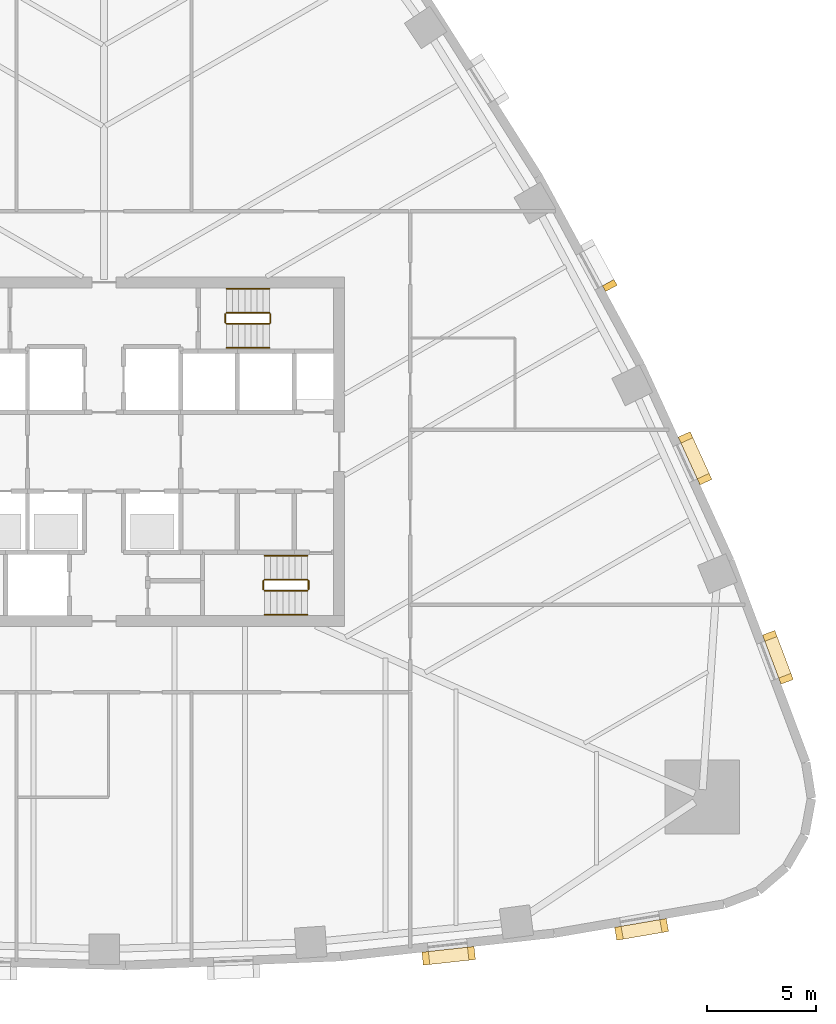
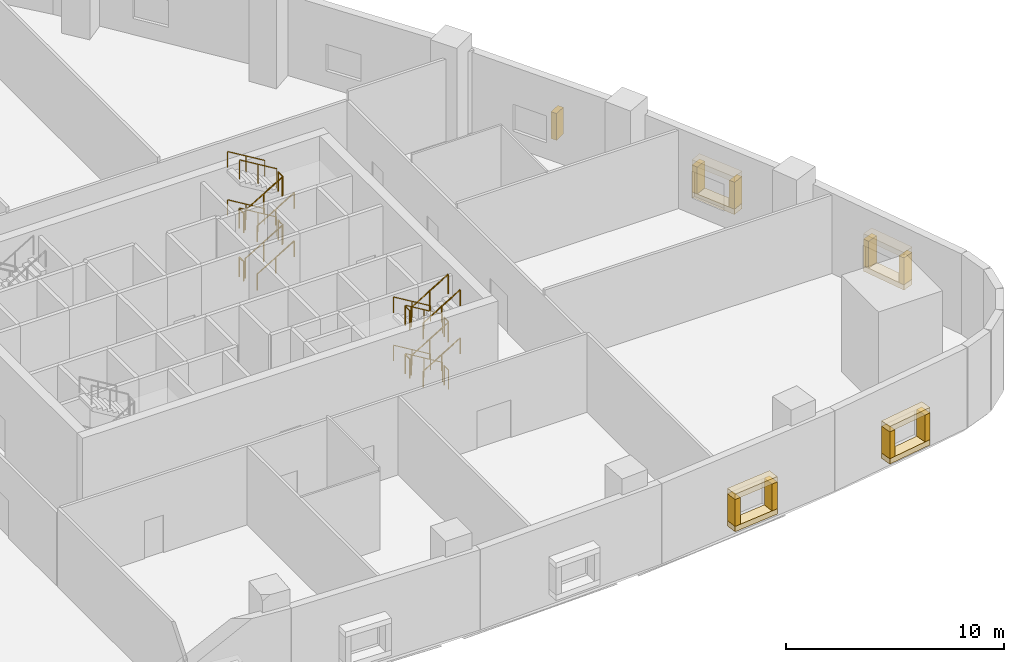
# One storey, part 9 of 11: 24 railings, 17 coverings.
"""IFC4 building model written with IfcOpenShell, lengths in metres."""

from ifc_helpers import new_model, si_unit, direction, frame, origin, origin_2d, place, context, subcontext, project, spatial, rectangle, circle, extrude, material, layer, layer_set, type_object, element, save


model = new_model("IFC4")

# Units and contexts
model_context = context("Model", 3, precision=1e-05, world=origin(), true_north=direction((0.0, 1.0)))
body_context = subcontext(model_context, "Body", "Model", "MODEL_VIEW")
ifc_project = project(units=[si_unit("LENGTHUNIT", "METRE"), si_unit("AREAUNIT", "SQUARE_METRE"), si_unit("VOLUMEUNIT", "CUBIC_METRE"), si_unit("PLANEANGLEUNIT", "RADIAN"), si_unit("MASSUNIT", "GRAM", prefix="KILO")], contexts=[model_context])

# Site, building, storey
site_placement = place(None, origin())
site = spatial("IfcSite", under=ifc_project, at=site_placement, CompositionType="ELEMENT")
building_placement = place(site_placement, origin())
building = spatial("IfcBuilding", under=site, at=building_placement, Name="Sierra Prisma Convention Tower", CompositionType="ELEMENT")
storey_placement = place(building_placement, frame((0.0, 0.0, 28.800048828125)))
storey = spatial("IfcBuildingStorey", under=building, at=storey_placement, Name="L04", CompositionType="ELEMENT", Elevation=28.800048828125)

# Railings
ifc_material_1 = material(Name="Stainless steel", Category="steel")
railing_type_1 = type_object("IfcRailingType", Name="Exit stair handrail", PredefinedType="HANDRAIL", material=ifc_material_1)
railing_1_placement = place(storey_placement, frame((9.300048828125, -4.75, 0.168701171875)))
element("IfcRailing", 1, at=railing_1_placement, inside=storey, type_object=railing_type_1, Name="L04 S2 stair handrail 1", PredefinedType="HANDRAIL", context=body_context, shape_type="SweptSolid", body=[
    extrude(circle(Radius=0.02392578125, at=origin_2d()), frame((0.0, 0.0, 0.8759765625), z_axis=(-0.856493463811, 0.0, 0.516157869696), x_axis=(0.0, -1.0, 0.0)), (0.0, 0.0, 1.0), 2.288330078125),
    extrude(circle(Radius=0.02099609375, at=origin_2d()), origin(), (0.0, 0.0, 1.0), 0.851806640625),
    extrude(circle(Radius=0.02099609375, at=origin_2d()), frame((-0.97998046875, 0.0, 0.590576171875)), (0.0, 0.0, 1.0), 0.851806640625),
    extrude(circle(Radius=0.02099609375, at=origin_2d()), frame((-1.9599609375, 0.0, 1.18115234375)), (0.0, 0.0, 1.0), 0.851806640625),
])
railing_2_placement = place(storey_placement, frame((7.340087890625, -7.449951171875, 1.518798828125)))
element("IfcRailing", 2, at=railing_2_placement, inside=storey, type_object=railing_type_1, Name="L04 S2 stair handrail 2", PredefinedType="HANDRAIL", context=body_context, shape_type="SweptSolid", body=[
    extrude(circle(Radius=0.02392578125, at=origin_2d()), frame((0.0, 0.0, 0.8759765625), z_axis=(0.856493463811, 0.0, 0.516157869696), x_axis=(0.0, 1.0, 0.0)), (0.0, 0.0, 1.0), 2.288330078125),
    extrude(circle(Radius=0.02099609375, at=origin_2d()), origin(), (0.0, 0.0, 1.0), 0.851806640625),
    extrude(circle(Radius=0.02099609375, at=origin_2d()), frame((0.97998046875, 0.0, 0.590576171875)), (0.0, 0.0, 1.0), 0.851806640625),
    extrude(circle(Radius=0.02099609375, at=origin_2d()), frame((1.9599609375, 0.0, 1.18115234375)), (0.0, 0.0, 1.0), 0.851806640625),
])
railing_3_placement = place(storey_placement, frame((9.300048828125, -4.75, 2.86865234375)))
element("IfcRailing", 3, at=railing_3_placement, inside=storey, type_object=railing_type_1, Name="L04 S2 stair handrail 3", PredefinedType="HANDRAIL", context=body_context, shape_type="SweptSolid", body=[
    extrude(circle(Radius=0.02392578125, at=origin_2d()), frame((0.0, 0.0, 0.8759765625), z_axis=(-0.856446297458, 0.0, 0.516236127728), x_axis=(0.0, -1.0, 0.0)), (0.0, 0.0, 1.0), 2.28857421875),
    extrude(circle(Radius=0.02099609375, at=origin_2d()), origin(), (0.0, 0.0, 1.0), 0.851806640625),
    extrude(circle(Radius=0.02099609375, at=origin_2d()), frame((-0.97998046875, 0.0, 0.5908203125)), (0.0, 0.0, 1.0), 0.851806640625),
    extrude(circle(Radius=0.02099609375, at=origin_2d()), frame((-1.9599609375, 0.0, 1.181396484375)), (0.0, 0.0, 1.0), 0.851806640625),
])
for number, where, name in (
    (4, (7.340087890625, -7.449951171875, 4.21875), "L04 S2 stair handrail 4"),
    (5, (5.60009765625, 4.75, 0.168701171875), "L04 S4 stair handrail 1"),
):
    element("IfcRailing", number, at=place(storey_placement, frame(where)), inside=storey, type_object=railing_type_1, Name=name, PredefinedType="HANDRAIL", context=body_context, shape_type="SweptSolid", body=[
        extrude(circle(Radius=0.02392578125, at=origin_2d()), frame((0.0, 0.0, 0.8759765625), z_axis=(0.856493463811, 0.0, 0.516157869696), x_axis=(0.0, 1.0, 0.0)), (0.0, 0.0, 1.0), 2.288330078125),
        extrude(circle(Radius=0.02099609375, at=origin_2d()), origin(), (0.0, 0.0, 1.0), 0.851806640625),
        extrude(circle(Radius=0.02099609375, at=origin_2d()), frame((0.97998046875, 0.0, 0.590576171875)), (0.0, 0.0, 1.0), 0.851806640625),
        extrude(circle(Radius=0.02099609375, at=origin_2d()), frame((1.9599609375, 0.0, 1.18115234375)), (0.0, 0.0, 1.0), 0.851806640625),
    ])
railing_4_placement = place(storey_placement, frame((7.56005859375, 7.449951171875, 1.518798828125)))
element("IfcRailing", 6, at=railing_4_placement, inside=storey, type_object=railing_type_1, Name="L04 S4 stair handrail 2", PredefinedType="HANDRAIL", context=body_context, shape_type="SweptSolid", body=[
    extrude(circle(Radius=0.02392578125, at=origin_2d()), frame((0.0, 0.0, 0.8759765625), z_axis=(-0.856493463811, 0.0, 0.516157869696), x_axis=(0.0, -1.0, 0.0)), (0.0, 0.0, 1.0), 2.288330078125),
    extrude(circle(Radius=0.02099609375, at=origin_2d()), origin(), (0.0, 0.0, 1.0), 0.851806640625),
    extrude(circle(Radius=0.02099609375, at=origin_2d()), frame((-0.97998046875, 0.0, 0.590576171875)), (0.0, 0.0, 1.0), 0.851806640625),
    extrude(circle(Radius=0.02099609375, at=origin_2d()), frame((-1.9599609375, 0.0, 1.18115234375)), (0.0, 0.0, 1.0), 0.851806640625),
])
railing_5_placement = place(storey_placement, frame((5.60009765625, 4.75, 2.86865234375)))
element("IfcRailing", 7, at=railing_5_placement, inside=storey, type_object=railing_type_1, Name="L04 S4 stair handrail 3", PredefinedType="HANDRAIL", context=body_context, shape_type="SweptSolid", body=[
    extrude(circle(Radius=0.02392578125, at=origin_2d()), frame((0.0, 0.0, 0.8759765625), z_axis=(0.856446297458, 0.0, 0.516236127728), x_axis=(0.0, 1.0, 0.0)), (0.0, 0.0, 1.0), 2.28857421875),
    extrude(circle(Radius=0.02099609375, at=origin_2d()), origin(), (0.0, 0.0, 1.0), 0.851806640625),
    extrude(circle(Radius=0.02099609375, at=origin_2d()), frame((0.97998046875, 0.0, 0.5908203125)), (0.0, 0.0, 1.0), 0.851806640625),
    extrude(circle(Radius=0.02099609375, at=origin_2d()), frame((1.9599609375, 0.0, 1.181396484375)), (0.0, 0.0, 1.0), 0.851806640625),
])
railing_6_placement = place(storey_placement, frame((7.56005859375, 7.449951171875, 4.21875)))
element("IfcRailing", 8, at=railing_6_placement, inside=storey, type_object=railing_type_1, Name="L04 S4 stair handrail 4", PredefinedType="HANDRAIL", context=body_context, shape_type="SweptSolid", body=[
    extrude(circle(Radius=0.02392578125, at=origin_2d()), frame((0.0, 0.0, 0.8759765625), z_axis=(-0.856493463811, 0.0, 0.516157869696), x_axis=(0.0, -1.0, 0.0)), (0.0, 0.0, 1.0), 2.288330078125),
    extrude(circle(Radius=0.02099609375, at=origin_2d()), origin(), (0.0, 0.0, 1.0), 0.851806640625),
    extrude(circle(Radius=0.02099609375, at=origin_2d()), frame((-0.97998046875, 0.0, 0.590576171875)), (0.0, 0.0, 1.0), 0.851806640625),
    extrude(circle(Radius=0.02099609375, at=origin_2d()), frame((-1.9599609375, 0.0, 1.18115234375)), (0.0, 0.0, 1.0), 0.851806640625),
])

# Coverings
ifc_material_2 = material(Name="Lime plaster, terracotta pigment", Category="masonry")
ifc_layer = layer(ifc_material_2, 0.300048828125)
ifc_layer_set = layer_set([ifc_layer], Name="Plaster reveal frame")
covering_type = type_object("IfcCoveringType", Name="Plaster reveal frame", PredefinedType="CLADDING", material=ifc_layer_set)
for number, where, z_axis, x_axis, name in (
    (9, (30.45068359375, -8.419189453125, 0.89990234375), (0.0, 0.0, 1.0), (0.352586518729, -0.935779219053, 0.0), "Window reveal jamb"),
    (10, (31.191162109375, -10.384521484375, 0.89990234375), (0.0, 0.0, 1.0), (0.352586518729, -0.935779219053, 0.0), "Window reveal jamb"),
):
    element("IfcCovering", number, at=place(storey_placement, frame(where, z_axis=z_axis, x_axis=x_axis)), inside=storey, type_object=covering_type, Name=name, PredefinedType="CLADDING", context=body_context, shape_type="SweptSolid", body=[
        extrude(rectangle(XDim=0.300048828125, YDim=0.60009765625, at=origin_2d()), origin(), (0.0, 0.0, 1.0), 1.5),
    ])
for number, where, z_axis, x_axis, name in (
    (11, (30.82080078125, -9.40185546875, 2.39990234375), (0.0, 0.0, 1.0), (0.352586518729, -0.935779219053, 0.0), "Window reveal head"),
    (12, (30.82080078125, -9.40185546875, 0.60009765625), (0.0, 0.0, 1.0), (0.352586518729, -0.935779219053, 0.0), "Window reveal sill"),
):
    element("IfcCovering", number, at=place(storey_placement, frame(where, z_axis=z_axis, x_axis=x_axis)), inside=storey, type_object=covering_type, Name=name, PredefinedType="CLADDING", context=body_context, shape_type="SweptSolid", body=[
        extrude(rectangle(XDim=2.39990234375, YDim=0.60009765625, at=origin_2d()), origin(), (0.0, 0.0, 1.0), 0.300048828125),
    ])
for number, where, z_axis, x_axis, name in (
    (13, (26.59521484375, 0.65673828125, 0.89990234375), (0.0, 0.0, 1.0), (0.415398270891, -0.909639641034, 0.0), "Window reveal jamb"),
    (14, (27.4677734375, -1.25341796875, 0.89990234375), (0.0, 0.0, 1.0), (0.415398270891, -0.909639641034, 0.0), "Window reveal jamb"),
):
    element("IfcCovering", number, at=place(storey_placement, frame(where, z_axis=z_axis, x_axis=x_axis)), inside=storey, type_object=covering_type, Name=name, PredefinedType="CLADDING", context=body_context, shape_type="SweptSolid", body=[
        extrude(rectangle(XDim=0.300048828125, YDim=0.60009765625, at=origin_2d()), origin(), (0.0, 0.0, 1.0), 1.5),
    ])
for number, where, z_axis, x_axis, name in (
    (15, (27.031494140625, -0.29833984375, 2.39990234375), (0.0, 0.0, 1.0), (0.415398270891, -0.909639641034, 0.0), "Window reveal head"),
    (16, (27.031494140625, -0.29833984375, 0.60009765625), (0.0, 0.0, 1.0), (0.415398270891, -0.909639641034, 0.0), "Window reveal sill"),
):
    element("IfcCovering", number, at=place(storey_placement, frame(where, z_axis=z_axis, x_axis=x_axis)), inside=storey, type_object=covering_type, Name=name, PredefinedType="CLADDING", context=body_context, shape_type="SweptSolid", body=[
        extrude(rectangle(XDim=2.39990234375, YDim=0.60009765625, at=origin_2d()), origin(), (0.0, 0.0, 1.0), 0.300048828125),
    ])
for number, where, z_axis, x_axis, name in (
    (17, (23.132080078125, 7.603271484375, 0.89990234375), (0.0, 0.0, 1.0), (0.476256619921, -0.879306335688, 0.0), "Window reveal jamb"),
    (18, (16.8056640625, -22.943359375, 0.89990234375), (0.0, 0.0, 1.0), (-0.994084805437, -0.108606627783, 0.0), "Window reveal jamb"),
    (19, (14.718017578125, -23.17138671875, 0.89990234375), (0.0, 0.0, 1.0), (-0.994084805437, -0.108606627783, 0.0), "Window reveal jamb"),
):
    element("IfcCovering", number, at=place(storey_placement, frame(where, z_axis=z_axis, x_axis=x_axis)), inside=storey, type_object=covering_type, Name=name, PredefinedType="CLADDING", context=body_context, shape_type="SweptSolid", body=[
        extrude(rectangle(XDim=0.300048828125, YDim=0.60009765625, at=origin_2d()), origin(), (0.0, 0.0, 1.0), 1.5),
    ])
for number, where, z_axis, x_axis, name in (
    (20, (15.76171875, -23.057373046875, 2.39990234375), (0.0, 0.0, 1.0), (-0.994084805437, -0.108606627783, 0.0), "Window reveal head"),
    (21, (15.76171875, -23.057373046875, 0.60009765625), (0.0, 0.0, 1.0), (-0.994084805437, -0.108606627783, 0.0), "Window reveal sill"),
):
    element("IfcCovering", number, at=place(storey_placement, frame(where, z_axis=z_axis, x_axis=x_axis)), inside=storey, type_object=covering_type, Name=name, PredefinedType="CLADDING", context=body_context, shape_type="SweptSolid", body=[
        extrude(rectangle(XDim=2.39990234375, YDim=0.60009765625, at=origin_2d()), origin(), (0.0, 0.0, 1.0), 0.300048828125),
    ])
for number, where, z_axis, x_axis, name in (
    (22, (25.6201171875, -21.669921875, 0.89990234375), (0.0, 0.0, 1.0), (-0.985573787893, -0.169246295731, 0.0), "Window reveal jamb"),
    (23, (23.55029296875, -22.025390625, 0.89990234375), (0.0, 0.0, 1.0), (-0.985573787893, -0.169246295731, 0.0), "Window reveal jamb"),
):
    element("IfcCovering", number, at=place(storey_placement, frame(where, z_axis=z_axis, x_axis=x_axis)), inside=storey, type_object=covering_type, Name=name, PredefinedType="CLADDING", context=body_context, shape_type="SweptSolid", body=[
        extrude(rectangle(XDim=0.300048828125, YDim=0.60009765625, at=origin_2d()), origin(), (0.0, 0.0, 1.0), 1.5),
    ])
for number, where, z_axis, x_axis, name in (
    (24, (24.585205078125, -21.84765625, 2.39990234375), (0.0, 0.0, 1.0), (-0.985573787893, -0.169246295731, 0.0), "Window reveal head"),
    (25, (24.585205078125, -21.84765625, 0.60009765625), (0.0, 0.0, 1.0), (-0.985573787893, -0.169246295731, 0.0), "Window reveal sill"),
):
    element("IfcCovering", number, at=place(storey_placement, frame(where, z_axis=z_axis, x_axis=x_axis)), inside=storey, type_object=covering_type, Name=name, PredefinedType="CLADDING", context=body_context, shape_type="SweptSolid", body=[
        extrude(rectangle(XDim=2.39990234375, YDim=0.60009765625, at=origin_2d()), origin(), (0.0, 0.0, 1.0), 0.300048828125),
    ])

# Railings
ifc_material_3 = material(Name="Stainless steel", Category="steel")
railing_type_2 = type_object("IfcRailingType", Name="Stair guard 1100", PredefinedType="GUARDRAIL", material=ifc_material_3)
railing_7_placement = place(storey_placement, frame((9.300048828125, -5.85009765625, 0.168701171875)))
element("IfcRailing", 26, at=railing_7_placement, inside=storey, type_object=railing_type_2, Name="L04 S2 stair guard 1", PredefinedType="GUARDRAIL", context=body_context, shape_type="SweptSolid", body=[
    extrude(circle(Radius=0.02392578125, at=origin_2d()), frame((0.0, 0.0, 1.076171875), z_axis=(-0.856493463811, 0.0, 0.516157869696), x_axis=(0.0, -1.0, 0.0)), (0.0, 0.0, 1.0), 2.288330078125),
    extrude(circle(Radius=0.02099609375, at=origin_2d()), origin(), (0.0, 0.0, 1.0), 1.052001953125),
    extrude(circle(Radius=0.02099609375, at=origin_2d()), frame((-0.97998046875, 0.0, 0.590576171875)), (0.0, 0.0, 1.0), 1.052001953125),
    extrude(circle(Radius=0.02099609375, at=origin_2d()), frame((-1.9599609375, 0.0, 1.18115234375)), (0.0, 0.0, 1.0), 1.052001953125),
])
railing_8_placement = place(storey_placement, frame((7.2900390625, -5.89990234375, 1.349853515625)))
element("IfcRailing", 27, at=railing_8_placement, inside=storey, type_object=railing_type_2, Name="L04 S2 stair guard 2", PredefinedType="GUARDRAIL", context=body_context, shape_type="SweptSolid", body=[
    extrude(circle(Radius=0.02392578125, at=origin_2d()), frame((0.0, 0.0, 1.076171875), z_axis=(0.0, -1.0, 0.0), x_axis=(1.0, 0.0, 0.0)), (0.0, 0.0, 1.0), 0.400146484375),
    extrude(circle(Radius=0.02099609375, at=origin_2d()), origin(), (0.0, 0.0, 1.0), 1.052001953125),
    extrude(circle(Radius=0.02099609375, at=origin_2d()), frame((0.0, -0.400146484375, 0.0)), (0.0, 0.0, 1.0), 1.052001953125),
])
railing_9_placement = place(storey_placement, frame((7.340087890625, -6.35009765625, 1.518798828125)))
element("IfcRailing", 28, at=railing_9_placement, inside=storey, type_object=railing_type_2, Name="L04 S2 stair guard 3", PredefinedType="GUARDRAIL", context=body_context, shape_type="SweptSolid", body=[
    extrude(circle(Radius=0.02392578125, at=origin_2d()), frame((0.0, 0.0, 1.076171875), z_axis=(0.856493463811, 0.0, 0.516157869696), x_axis=(0.0, 1.0, 0.0)), (0.0, 0.0, 1.0), 2.288330078125),
    extrude(circle(Radius=0.02099609375, at=origin_2d()), origin(), (0.0, 0.0, 1.0), 1.052001953125),
    extrude(circle(Radius=0.02099609375, at=origin_2d()), frame((0.97998046875, 0.0, 0.590576171875)), (0.0, 0.0, 1.0), 1.052001953125),
    extrude(circle(Radius=0.02099609375, at=origin_2d()), frame((1.9599609375, 0.0, 1.18115234375)), (0.0, 0.0, 1.0), 1.052001953125),
])
railing_10_placement = place(storey_placement, frame((9.35009765625, -5.89990234375, 2.699951171875)))
element("IfcRailing", 29, at=railing_10_placement, inside=storey, type_object=railing_type_2, Name="L04 S2 stair guard 4", PredefinedType="GUARDRAIL", context=body_context, shape_type="SweptSolid", body=[
    extrude(circle(Radius=0.02392578125, at=origin_2d()), frame((0.0, 0.0, 1.076171875), z_axis=(0.0, -1.0, 0.0), x_axis=(1.0, 0.0, 0.0)), (0.0, 0.0, 1.0), 0.400146484375),
    extrude(circle(Radius=0.02099609375, at=origin_2d()), origin(), (0.0, 0.0, 1.0), 1.052001953125),
    extrude(circle(Radius=0.02099609375, at=origin_2d()), frame((0.0, -0.400146484375, 0.0)), (0.0, 0.0, 1.0), 1.052001953125),
])
railing_11_placement = place(storey_placement, frame((9.300048828125, -5.85009765625, 2.86865234375)))
element("IfcRailing", 30, at=railing_11_placement, inside=storey, type_object=railing_type_2, Name="L04 S2 stair guard 5", PredefinedType="GUARDRAIL", context=body_context, shape_type="SweptSolid", body=[
    extrude(circle(Radius=0.02392578125, at=origin_2d()), frame((0.0, 0.0, 1.076171875), z_axis=(-0.856446297458, 0.0, 0.516236127728), x_axis=(0.0, -1.0, 0.0)), (0.0, 0.0, 1.0), 2.28857421875),
    extrude(circle(Radius=0.02099609375, at=origin_2d()), origin(), (0.0, 0.0, 1.0), 1.052001953125),
    extrude(circle(Radius=0.02099609375, at=origin_2d()), frame((-0.97998046875, 0.0, 0.5908203125)), (0.0, 0.0, 1.0), 1.052001953125),
    extrude(circle(Radius=0.02099609375, at=origin_2d()), frame((-1.9599609375, 0.0, 1.181396484375)), (0.0, 0.0, 1.0), 1.052001953125),
])
railing_12_placement = place(storey_placement, frame((7.2900390625, -5.89990234375, 4.050048828125)))
element("IfcRailing", 31, at=railing_12_placement, inside=storey, type_object=railing_type_2, Name="L04 S2 stair guard 6", PredefinedType="GUARDRAIL", context=body_context, shape_type="SweptSolid", body=[
    extrude(circle(Radius=0.02392578125, at=origin_2d()), frame((0.0, 0.0, 1.076171875), z_axis=(0.0, -1.0, 0.0), x_axis=(1.0, 0.0, 0.0)), (0.0, 0.0, 1.0), 0.400146484375),
    extrude(circle(Radius=0.02099609375, at=origin_2d()), origin(), (0.0, 0.0, 1.0), 1.052001953125),
    extrude(circle(Radius=0.02099609375, at=origin_2d()), frame((0.0, -0.400146484375, 0.0)), (0.0, 0.0, 1.0), 1.052001953125),
])
railing_13_placement = place(storey_placement, frame((7.340087890625, -6.35009765625, 4.21875)))
element("IfcRailing", 32, at=railing_13_placement, inside=storey, type_object=railing_type_2, Name="L04 S2 stair guard 7", PredefinedType="GUARDRAIL", context=body_context, shape_type="SweptSolid", body=[
    extrude(circle(Radius=0.02392578125, at=origin_2d()), frame((0.0, 0.0, 1.076171875), z_axis=(0.856493463811, 0.0, 0.516157869696), x_axis=(0.0, 1.0, 0.0)), (0.0, 0.0, 1.0), 2.288330078125),
    extrude(circle(Radius=0.02099609375, at=origin_2d()), origin(), (0.0, 0.0, 1.0), 1.052001953125),
    extrude(circle(Radius=0.02099609375, at=origin_2d()), frame((0.97998046875, 0.0, 0.590576171875)), (0.0, 0.0, 1.0), 1.052001953125),
    extrude(circle(Radius=0.02099609375, at=origin_2d()), frame((1.9599609375, 0.0, 1.18115234375)), (0.0, 0.0, 1.0), 1.052001953125),
])
railing_14_placement = place(storey_placement, frame((9.35009765625, -5.89990234375, 0.0)))
element("IfcRailing", 33, at=railing_14_placement, inside=storey, type_object=railing_type_2, Name="L04 S2 stair guard 8", PredefinedType="GUARDRAIL", context=body_context, shape_type="SweptSolid", body=[
    extrude(circle(Radius=0.02392578125, at=origin_2d()), frame((0.0, 0.0, 1.076171875), z_axis=(0.0, -1.0, 0.0), x_axis=(1.0, 0.0, 0.0)), (0.0, 0.0, 1.0), 0.400146484375),
    extrude(circle(Radius=0.02099609375, at=origin_2d()), origin(), (0.0, 0.0, 1.0), 1.052001953125),
    extrude(circle(Radius=0.02099609375, at=origin_2d()), frame((0.0, -0.400146484375, 0.0)), (0.0, 0.0, 1.0), 1.052001953125),
])
railing_15_placement = place(storey_placement, frame((5.60009765625, 5.85009765625, 0.168701171875)))
element("IfcRailing", 34, at=railing_15_placement, inside=storey, type_object=railing_type_2, Name="L04 S4 stair guard 1", PredefinedType="GUARDRAIL", context=body_context, shape_type="SweptSolid", body=[
    extrude(circle(Radius=0.02392578125, at=origin_2d()), frame((0.0, 0.0, 1.076171875), z_axis=(0.856493463811, 0.0, 0.516157869696), x_axis=(0.0, 1.0, 0.0)), (0.0, 0.0, 1.0), 2.288330078125),
    extrude(circle(Radius=0.02099609375, at=origin_2d()), origin(), (0.0, 0.0, 1.0), 1.052001953125),
    extrude(circle(Radius=0.02099609375, at=origin_2d()), frame((0.97998046875, 0.0, 0.590576171875)), (0.0, 0.0, 1.0), 1.052001953125),
    extrude(circle(Radius=0.02099609375, at=origin_2d()), frame((1.9599609375, 0.0, 1.18115234375)), (0.0, 0.0, 1.0), 1.052001953125),
])
railing_16_placement = place(storey_placement, frame((7.610107421875, 5.89990234375, 1.349853515625)))
element("IfcRailing", 35, at=railing_16_placement, inside=storey, type_object=railing_type_2, Name="L04 S4 stair guard 2", PredefinedType="GUARDRAIL", context=body_context, shape_type="SweptSolid", body=[
    extrude(circle(Radius=0.02392578125, at=origin_2d()), frame((0.0, 0.0, 1.076171875), z_axis=(0.0, 1.0, 0.0), x_axis=(-1.0, 0.0, 0.0)), (0.0, 0.0, 1.0), 0.400146484375),
    extrude(circle(Radius=0.02099609375, at=origin_2d()), origin(), (0.0, 0.0, 1.0), 1.052001953125),
    extrude(circle(Radius=0.02099609375, at=origin_2d()), frame((0.0, 0.400146484375, 0.0)), (0.0, 0.0, 1.0), 1.052001953125),
])
railing_17_placement = place(storey_placement, frame((7.56005859375, 6.35009765625, 1.518798828125)))
element("IfcRailing", 36, at=railing_17_placement, inside=storey, type_object=railing_type_2, Name="L04 S4 stair guard 3", PredefinedType="GUARDRAIL", context=body_context, shape_type="SweptSolid", body=[
    extrude(circle(Radius=0.02392578125, at=origin_2d()), frame((0.0, 0.0, 1.076171875), z_axis=(-0.856493463811, 0.0, 0.516157869696), x_axis=(0.0, -1.0, 0.0)), (0.0, 0.0, 1.0), 2.288330078125),
    extrude(circle(Radius=0.02099609375, at=origin_2d()), origin(), (0.0, 0.0, 1.0), 1.052001953125),
    extrude(circle(Radius=0.02099609375, at=origin_2d()), frame((-0.97998046875, 0.0, 0.590576171875)), (0.0, 0.0, 1.0), 1.052001953125),
    extrude(circle(Radius=0.02099609375, at=origin_2d()), frame((-1.9599609375, 0.0, 1.18115234375)), (0.0, 0.0, 1.0), 1.052001953125),
])
railing_18_placement = place(storey_placement, frame((5.550048828125, 5.89990234375, 2.699951171875)))
element("IfcRailing", 37, at=railing_18_placement, inside=storey, type_object=railing_type_2, Name="L04 S4 stair guard 4", PredefinedType="GUARDRAIL", context=body_context, shape_type="SweptSolid", body=[
    extrude(circle(Radius=0.02392578125, at=origin_2d()), frame((0.0, 0.0, 1.076171875), z_axis=(0.0, 1.0, 0.0), x_axis=(-1.0, 0.0, 0.0)), (0.0, 0.0, 1.0), 0.400146484375),
    extrude(circle(Radius=0.02099609375, at=origin_2d()), origin(), (0.0, 0.0, 1.0), 1.052001953125),
    extrude(circle(Radius=0.02099609375, at=origin_2d()), frame((0.0, 0.400146484375, 0.0)), (0.0, 0.0, 1.0), 1.052001953125),
])
railing_19_placement = place(storey_placement, frame((5.60009765625, 5.85009765625, 2.86865234375)))
element("IfcRailing", 38, at=railing_19_placement, inside=storey, type_object=railing_type_2, Name="L04 S4 stair guard 5", PredefinedType="GUARDRAIL", context=body_context, shape_type="SweptSolid", body=[
    extrude(circle(Radius=0.02392578125, at=origin_2d()), frame((0.0, 0.0, 1.076171875), z_axis=(0.856446297458, 0.0, 0.516236127728), x_axis=(0.0, 1.0, 0.0)), (0.0, 0.0, 1.0), 2.28857421875),
    extrude(circle(Radius=0.02099609375, at=origin_2d()), origin(), (0.0, 0.0, 1.0), 1.052001953125),
    extrude(circle(Radius=0.02099609375, at=origin_2d()), frame((0.97998046875, 0.0, 0.5908203125)), (0.0, 0.0, 1.0), 1.052001953125),
    extrude(circle(Radius=0.02099609375, at=origin_2d()), frame((1.9599609375, 0.0, 1.181396484375)), (0.0, 0.0, 1.0), 1.052001953125),
])
railing_20_placement = place(storey_placement, frame((7.610107421875, 5.89990234375, 4.050048828125)))
element("IfcRailing", 39, at=railing_20_placement, inside=storey, type_object=railing_type_2, Name="L04 S4 stair guard 6", PredefinedType="GUARDRAIL", context=body_context, shape_type="SweptSolid", body=[
    extrude(circle(Radius=0.02392578125, at=origin_2d()), frame((0.0, 0.0, 1.076171875), z_axis=(0.0, 1.0, 0.0), x_axis=(-1.0, 0.0, 0.0)), (0.0, 0.0, 1.0), 0.400146484375),
    extrude(circle(Radius=0.02099609375, at=origin_2d()), origin(), (0.0, 0.0, 1.0), 1.052001953125),
    extrude(circle(Radius=0.02099609375, at=origin_2d()), frame((0.0, 0.400146484375, 0.0)), (0.0, 0.0, 1.0), 1.052001953125),
])
railing_21_placement = place(storey_placement, frame((7.56005859375, 6.35009765625, 4.21875)))
element("IfcRailing", 40, at=railing_21_placement, inside=storey, type_object=railing_type_2, Name="L04 S4 stair guard 7", PredefinedType="GUARDRAIL", context=body_context, shape_type="SweptSolid", body=[
    extrude(circle(Radius=0.02392578125, at=origin_2d()), frame((0.0, 0.0, 1.076171875), z_axis=(-0.856493463811, 0.0, 0.516157869696), x_axis=(0.0, -1.0, 0.0)), (0.0, 0.0, 1.0), 2.288330078125),
    extrude(circle(Radius=0.02099609375, at=origin_2d()), origin(), (0.0, 0.0, 1.0), 1.052001953125),
    extrude(circle(Radius=0.02099609375, at=origin_2d()), frame((-0.97998046875, 0.0, 0.590576171875)), (0.0, 0.0, 1.0), 1.052001953125),
    extrude(circle(Radius=0.02099609375, at=origin_2d()), frame((-1.9599609375, 0.0, 1.18115234375)), (0.0, 0.0, 1.0), 1.052001953125),
])
railing_22_placement = place(storey_placement, frame((5.550048828125, 5.89990234375, 0.0)))
element("IfcRailing", 41, at=railing_22_placement, inside=storey, type_object=railing_type_2, Name="L04 S4 stair guard 8", PredefinedType="GUARDRAIL", context=body_context, shape_type="SweptSolid", body=[
    extrude(circle(Radius=0.02392578125, at=origin_2d()), frame((0.0, 0.0, 1.076171875), z_axis=(0.0, 1.0, 0.0), x_axis=(-1.0, 0.0, 0.0)), (0.0, 0.0, 1.0), 0.400146484375),
    extrude(circle(Radius=0.02099609375, at=origin_2d()), origin(), (0.0, 0.0, 1.0), 1.052001953125),
    extrude(circle(Radius=0.02099609375, at=origin_2d()), frame((0.0, 0.400146484375, 0.0)), (0.0, 0.0, 1.0), 1.052001953125),
])

save(model, "model.ifc")
